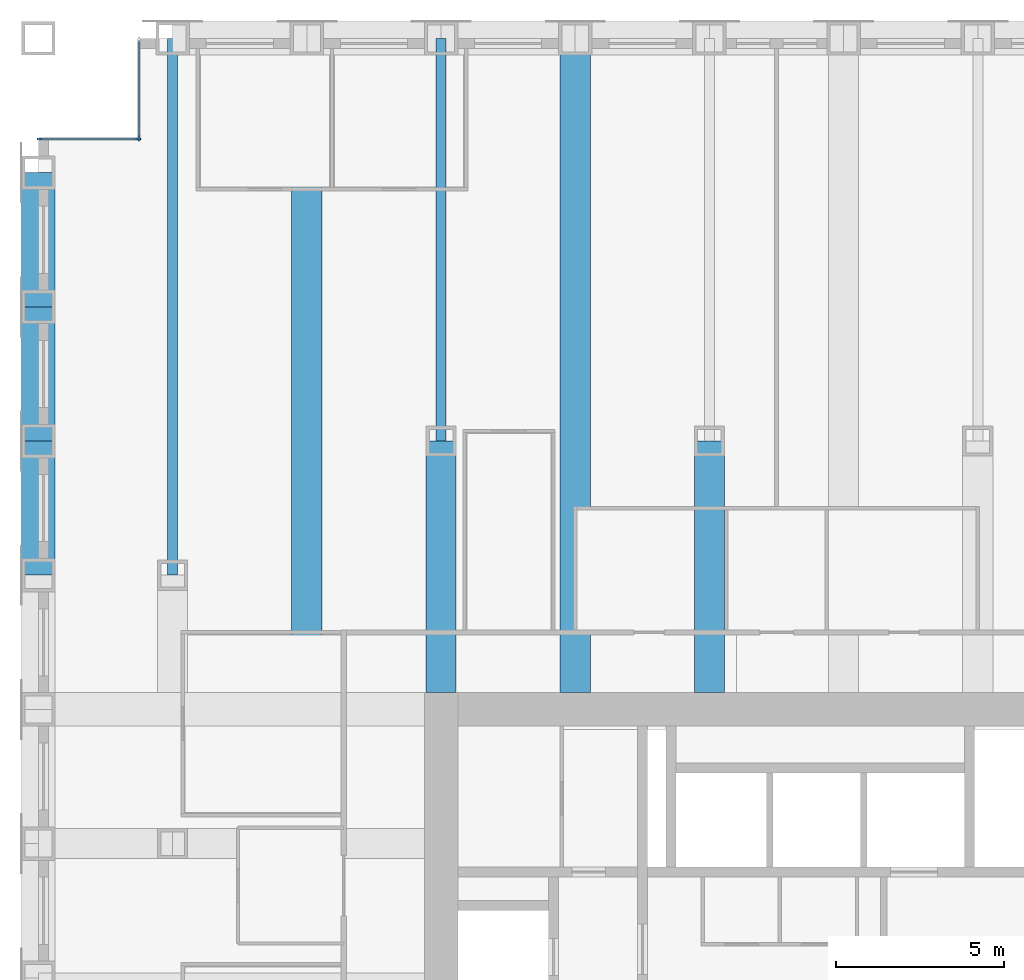
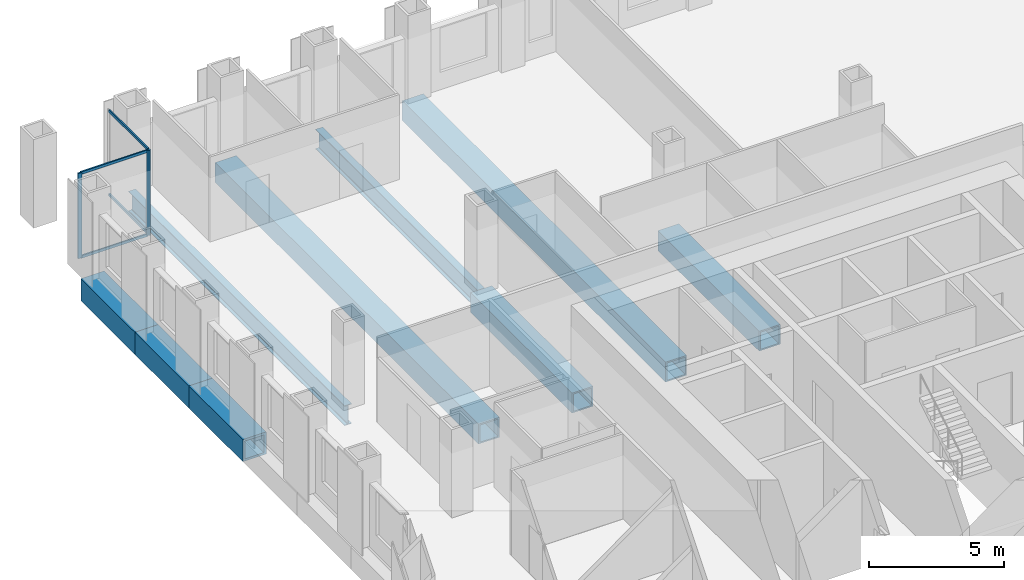
# One storey, part 5 of 14: 9 beams, 7 members, 2 elements without a shape of their own.
"""IFC4 building model written with IfcOpenShell, lengths in metres."""

from ifc_helpers import new_model, si_unit, direction, frame, origin, origin_2d, place, context, subcontext, project, spatial, rectangle, hollow_rectangle, i_section, extrude, material, material_profile, profile_set, type_object, element, aggregate, save


model = new_model("IFC4")

# Units and contexts
model_context = context("Model", 3, precision=1e-05, world=origin(), true_north=direction((0.0, 1.0)))
body_context = subcontext(model_context, "Body", "Model", "MODEL_VIEW")
ifc_project = project(units=[si_unit("LENGTHUNIT", "METRE"), si_unit("AREAUNIT", "SQUARE_METRE"), si_unit("VOLUMEUNIT", "CUBIC_METRE"), si_unit("PLANEANGLEUNIT", "RADIAN"), si_unit("MASSUNIT", "GRAM", prefix="KILO")], contexts=[model_context])

# Site, building, storey
site_placement = place(None, origin())
site = spatial("IfcSite", under=ifc_project, at=site_placement, CompositionType="ELEMENT")
building_placement = place(site_placement, origin())
building = spatial("IfcBuilding", under=site, at=building_placement, Name="Rimbunsela Tower", CompositionType="ELEMENT")
storey_placement = place(building_placement, frame((0.0, 0.0, 179.800048828125)))
storey = spatial("IfcBuildingStorey", under=building, at=storey_placement, Name="L43", CompositionType="ELEMENT", Elevation=179.800048828125)

# Beams
ifc_material_1 = material(Name="Steel BJ 55 (fy 410 MPa)", Category="steel")
ifc_material_profile_1 = material_profile(ifc_material_1, hollow_rectangle(XDim=1.0, YDim=1.0, WallThickness=0.10009765625, at=origin_2d()), Name="BOX 1000x1000x100")
ifc_profile_set_1 = profile_set([ifc_material_profile_1], Name="Steel BJ 55 (fy 410 MPa)")
beam_type_1 = type_object("IfcBeamType", Name="Beam BOX 1000x1000x100", PredefinedType="BEAM", material=ifc_profile_set_1)
for number, where, z_axis, x_axis, name in (
    (1, (6.0, 40.0, -0.650146484375), (0.0, 1.0, 0.0), (-1.0, 0.0, 0.0), "Beam B3 L43"),
    (2, (6.0, 44.0, -0.650146484375), (0.0, 1.0, 0.0), (-1.0, 0.0, 0.0), "Beam B3 L43"),
    (3, (6.0, 48.0, -0.650146484375), (0.0, 1.0, 0.0), (-1.0, 0.0, 0.0), "Beam B3 L43"),
):
    element("IfcBeam", number, at=place(storey_placement, frame(where, z_axis=z_axis, x_axis=x_axis)), inside=storey, type_object=beam_type_1, Name=name, PredefinedType="BEAM", context=body_context, shape_type="SweptSolid", body=[
        extrude(hollow_rectangle(XDim=1.0, YDim=1.0, WallThickness=0.10009765625, at=origin_2d()), origin(), (0.0, 0.0, 1.0), 4.0),
    ])
ifc_material_2 = material(Name="Steel BJ 55 (fy 410 MPa)", Category="steel")
ifc_material_profile_2 = material_profile(ifc_material_2, hollow_rectangle(XDim=0.89990234375, YDim=0.89990234375, WallThickness=0.06005859375, at=origin_2d()), Name="BOX 900x900x60")
ifc_profile_set_2 = profile_set([ifc_material_profile_2], Name="Steel BJ 55 (fy 410 MPa)")
beam_type_2 = type_object("IfcBeamType", Name="Beam BOX 900x900x60", PredefinedType="BEAM", material=ifc_profile_set_2)
beam_1_placement = place(storey_placement, frame((14.0, 36.5, -0.60009765625), z_axis=(0.0, 1.0, 0.0), x_axis=(-1.0, 0.0, 0.0)))
element("IfcBeam", 4, at=beam_1_placement, inside=storey, type_object=beam_type_2, Name="Beam B1 L43", PredefinedType="BEAM", context=body_context, shape_type="SweptSolid", body=[
    extrude(hollow_rectangle(XDim=0.89990234375, YDim=0.89990234375, WallThickness=0.06005859375, at=origin_2d()), origin(), (0.0, 0.0, 1.0), 19.5),
])
beam_2_placement = place(storey_placement, frame((18.0, 36.5, -0.60009765625), z_axis=(0.0, 1.0, 0.0), x_axis=(-1.0, 0.0, 0.0)))
element("IfcBeam", 5, at=beam_2_placement, inside=storey, type_object=beam_type_2, Name="Beam B1 L43", PredefinedType="BEAM", context=body_context, shape_type="SweptSolid", body=[
    extrude(hollow_rectangle(XDim=0.89990234375, YDim=0.89990234375, WallThickness=0.06005859375, at=origin_2d()), origin(), (0.0, 0.0, 1.0), 7.5),
])
beam_3_placement = place(storey_placement, frame((22.0, 36.5, -0.60009765625), z_axis=(0.0, 1.0, 0.0), x_axis=(-1.0, 0.0, 0.0)))
element("IfcBeam", 6, at=beam_3_placement, inside=storey, type_object=beam_type_2, Name="Beam B1 L43", PredefinedType="BEAM", context=body_context, shape_type="SweptSolid", body=[
    extrude(hollow_rectangle(XDim=0.89990234375, YDim=0.89990234375, WallThickness=0.06005859375, at=origin_2d()), origin(), (0.0, 0.0, 1.0), 19.5),
])
beam_4_placement = place(storey_placement, frame((26.0, 36.5, -0.60009765625), z_axis=(0.0, 1.0, 0.0), x_axis=(-1.0, 0.0, 0.0)))
element("IfcBeam", 7, at=beam_4_placement, inside=storey, type_object=beam_type_2, Name="Beam B1 L43", PredefinedType="BEAM", context=body_context, shape_type="SweptSolid", body=[
    extrude(hollow_rectangle(XDim=0.89990234375, YDim=0.89990234375, WallThickness=0.06005859375, at=origin_2d()), origin(), (0.0, 0.0, 1.0), 7.5),
])
ifc_material_3 = material(Name="Steel BJ 55 (fy 410 MPa)", Category="steel")
ifc_material_profile_3 = material_profile(ifc_material_3, i_section(OverallWidth=0.300048828125, OverallDepth=0.89990234375, WebThickness=0.01611328125, FlangeThickness=0.028076171875, FilletRadius=0.028076171875, at=origin_2d()), Name="H 900x300x16x28")
ifc_profile_set_3 = profile_set([ifc_material_profile_3], Name="Steel BJ 55 (fy 410 MPa)")
beam_type_3 = type_object("IfcBeamType", Name="Beam H 900x300x16x28", PredefinedType="BEAM", material=ifc_profile_set_3)
beam_5_placement = place(storey_placement, frame((10.0, 40.0, -0.60009765625), z_axis=(0.0, 1.0, 0.0), x_axis=(-1.0, 0.0, 0.0)))
element("IfcBeam", 8, at=beam_5_placement, inside=storey, type_object=beam_type_3, Name="Beam B2 L43", PredefinedType="BEAM", context=body_context, shape_type="SweptSolid", body=[
    extrude(i_section(OverallWidth=0.300048828125, OverallDepth=0.89990234375, WebThickness=0.01611328125, FlangeThickness=0.028076171875, FilletRadius=0.028076171875, at=origin_2d()), origin(), (0.0, 0.0, 1.0), 16.0),
])
beam_6_placement = place(storey_placement, frame((18.0, 44.0, -0.60009765625), z_axis=(0.0, 1.0, 0.0), x_axis=(-1.0, 0.0, 0.0)))
element("IfcBeam", 9, at=beam_6_placement, inside=storey, type_object=beam_type_3, Name="Beam B2 L43", PredefinedType="BEAM", context=body_context, shape_type="SweptSolid", body=[
    extrude(i_section(OverallWidth=0.300048828125, OverallDepth=0.89990234375, WebThickness=0.01611328125, FlangeThickness=0.028076171875, FilletRadius=0.028076171875, at=origin_2d()), origin(), (0.0, 0.0, 1.0), 12.0),
])

# Curtain wall, member
ifc_material_4 = material(Name="Aluminium curtain wall", Category="aluminium")
curtain_wall_type = type_object("IfcCurtainWallType", Name="Corner glazing", PredefinedType="USERDEFINED", material=ifc_material_4)
curtain_wall_1_placement = place(storey_placement, origin())
curtain_wall_1 = element("IfcCurtainWall", 10, at=curtain_wall_1_placement, inside=storey, type_object=curtain_wall_type, Name="Corner glazing L43", ObjectType="CORNER GLAZING", PredefinedType="USERDEFINED")
ifc_material_5 = material(Name="Aluminium mullion", Category="aluminium")
ifc_material_profile_4 = material_profile(ifc_material_5, rectangle(XDim=0.06005859375, YDim=0.159912109375, at=origin_2d()), Name="Mullion 60x160")
ifc_profile_set_4 = profile_set([ifc_material_profile_4], Name="Aluminium mullion")
member_type_1 = type_object("IfcMemberType", Name="Curtain wall mullion 60x160", PredefinedType="MULLION", material=ifc_profile_set_4)
member_1_placement = place(storey_placement, frame((9.0, 53.030029296875, 0.0), z_axis=(0.0, 0.0, 1.0), x_axis=(1.0, 0.0, 0.0)))
member_1 = element("IfcMember", 11, at=member_1_placement, type_object=member_type_1, Name="CW5 mullion 2", PredefinedType="MULLION", context=body_context, shape_type="SweptSolid", body=[
    extrude(rectangle(XDim=0.06005859375, YDim=0.159912109375, at=origin_2d()), origin(), (0.0, 0.0, 1.0), 3.849853515625),
])

# Curtain wall, members
curtain_wall_2_placement = place(storey_placement, origin())
curtain_wall_2 = element("IfcCurtainWall", 12, at=curtain_wall_2_placement, inside=storey, type_object=curtain_wall_type, Name="Corner glazing L43", ObjectType="CORNER GLAZING", PredefinedType="USERDEFINED")
member_2_placement = place(storey_placement, frame((8.969970703125, 53.0, 0.0), z_axis=(0.0, 0.0, 1.0), x_axis=(0.0, -1.0, 0.0)))
member_2 = element("IfcMember", 13, at=member_2_placement, type_object=member_type_1, Name="CW5 mullion 1", PredefinedType="MULLION", context=body_context, shape_type="SweptSolid", body=[
    extrude(rectangle(XDim=0.06005859375, YDim=0.159912109375, at=origin_2d()), origin(), (0.0, 0.0, 1.0), 3.849853515625),
])
member_3_placement = place(storey_placement, frame((6.030029296875, 53.0, 0.0), z_axis=(0.0, 0.0, 1.0), x_axis=(0.0, -1.0, 0.0)))
member_3 = element("IfcMember", 14, at=member_3_placement, type_object=member_type_1, Name="CW5 mullion 2", PredefinedType="MULLION", context=body_context, shape_type="SweptSolid", body=[
    extrude(rectangle(XDim=0.06005859375, YDim=0.159912109375, at=origin_2d()), origin(), (0.0, 0.0, 1.0), 3.849853515625),
])

# Member
ifc_material_6 = material(Name="Aluminium transom", Category="aluminium")
ifc_material_profile_5 = material_profile(ifc_material_6, rectangle(XDim=0.06005859375, YDim=0.1201171875, at=origin_2d()), Name="Transom 60x120")
ifc_profile_set_5 = profile_set([ifc_material_profile_5], Name="Aluminium transom")
member_type_2 = type_object("IfcMemberType", Name="Curtain wall transom 60x120", PredefinedType="USERDEFINED", material=ifc_profile_set_5)
member_4_placement = place(storey_placement, frame((9.0, 55.93994140625, 0.030029296875), z_axis=(0.0, -1.0, 0.0), x_axis=(1.0, 0.0, 0.0)))
member_4 = element("IfcMember", 15, at=member_4_placement, type_object=member_type_2, Name="CW5 transom 1.1", ObjectType="TRANSOM", PredefinedType="USERDEFINED", context=body_context, shape_type="SweptSolid", body=[
    extrude(rectangle(XDim=0.06005859375, YDim=0.1201171875, at=origin_2d()), origin(), (0.0, 0.0, 1.0), 2.8798828125),
])

member_5_placement = place(storey_placement, frame((9.0, 55.93994140625, 3.820068359375), z_axis=(0.0, -1.0, 0.0), x_axis=(1.0, 0.0, 0.0)))
member_5 = element("IfcMember", 16, at=member_5_placement, type_object=member_type_2, Name="CW5 transom 1.2", ObjectType="TRANSOM", PredefinedType="USERDEFINED", context=body_context, shape_type="SweptSolid", body=[
    extrude(rectangle(XDim=0.06005859375, YDim=0.1201171875, at=origin_2d()), origin(), (0.0, 0.0, 1.0), 2.8798828125),
])

aggregate(curtain_wall_1, [member_1, member_4, member_5])

member_6_placement = place(storey_placement, frame((8.93994140625, 53.0, 0.030029296875), z_axis=(-1.0, 0.0, 0.0), x_axis=(0.0, -1.0, 0.0)))
member_6 = element("IfcMember", 17, at=member_6_placement, type_object=member_type_2, Name="CW5 transom 1.1", ObjectType="TRANSOM", PredefinedType="USERDEFINED", context=body_context, shape_type="SweptSolid", body=[
    extrude(rectangle(XDim=0.06005859375, YDim=0.1201171875, at=origin_2d()), origin(), (0.0, 0.0, 1.0), 2.8798828125),
])

member_7_placement = place(storey_placement, frame((8.93994140625, 53.0, 3.820068359375), z_axis=(-1.0, 0.0, 0.0), x_axis=(0.0, -1.0, 0.0)))
member_7 = element("IfcMember", 18, at=member_7_placement, type_object=member_type_2, Name="CW5 transom 1.2", ObjectType="TRANSOM", PredefinedType="USERDEFINED", context=body_context, shape_type="SweptSolid", body=[
    extrude(rectangle(XDim=0.06005859375, YDim=0.1201171875, at=origin_2d()), origin(), (0.0, 0.0, 1.0), 2.8798828125),
])

aggregate(curtain_wall_2, [member_2, member_3, member_6, member_7])

save(model, "model.ifc")
